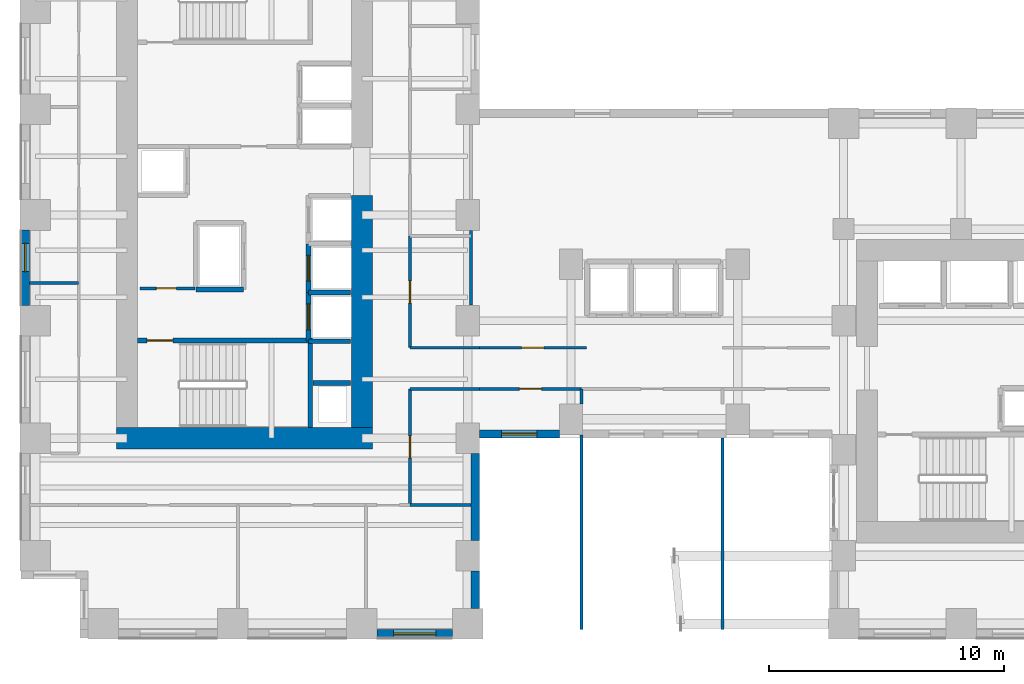
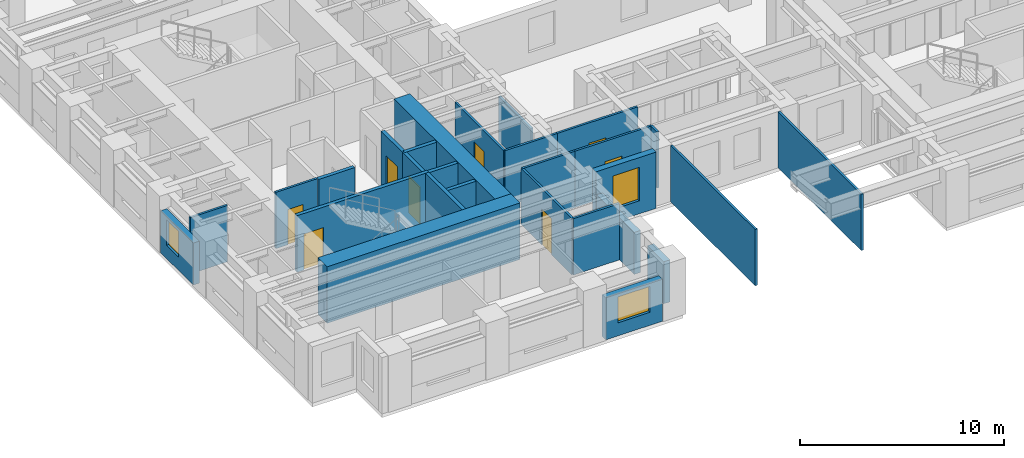
# One storey, part 7 of 14: 28 walls, 8 doors, 3 windows, 11 openings.
"""IFC4 building model written with IfcOpenShell, lengths in metres."""

from ifc_helpers import new_model, si_unit, direction, frame, frame_2d, origin, place, context, subcontext, project, spatial, rectangle, extrude, source, transform, mapped, material, layer, layer_set, type_object, element, fill, save


model = new_model("IFC4")

# Units and contexts
model_context = context("Model", 3, precision=1e-05, world=origin(), true_north=direction((0.0, 1.0)))
body_context = subcontext(model_context, "Body", "Model", "MODEL_VIEW")
ifc_project = project(units=[si_unit("LENGTHUNIT", "METRE"), si_unit("AREAUNIT", "SQUARE_METRE"), si_unit("VOLUMEUNIT", "CUBIC_METRE"), si_unit("PLANEANGLEUNIT", "RADIAN"), si_unit("MASSUNIT", "GRAM", prefix="KILO")], contexts=[model_context])

# Site, building, storey
site_placement = place(None, origin())
site = spatial("IfcSite", under=ifc_project, at=site_placement, CompositionType="ELEMENT")
building_placement = place(site_placement, origin())
building = spatial("IfcBuilding", under=site, at=building_placement, Name="Kharzan Plaza Tower", CompositionType="ELEMENT")
storey_placement = place(building_placement, frame((0.0, 0.0, 58.5)))
storey = spatial("IfcBuildingStorey", under=building, at=storey_placement, Name="L15", CompositionType="ELEMENT", Elevation=58.5)

# Wall, opening, window
ifc_material_1 = material(Name="Concrete C40/50", Category="concrete")
ifc_layer_1 = layer(ifc_material_1, 0.35009765625)
ifc_layer_set_1 = layer_set([ifc_layer_1], Name="Concrete C40/50")
wall_type_1 = type_object("IfcWallType", Name="WL-EXT-MAS-Z1", PredefinedType="SOLIDWALL", material=ifc_layer_set_1)
wall_1_placement = place(storey_placement, frame((0.175048828125, 17.35205078125, 0.0), z_axis=(0.0, 0.0, 1.0), x_axis=(0.0, -1.0, 0.0)))
wall_1 = element("IfcWall", 1, at=wall_1_placement, inside=storey, type_object=wall_type_1, Name="L15 Masonry-Frame Exterior Wall 17", PredefinedType="SOLIDWALL", context=body_context, shape_type="SweptSolid", body=[
    extrude(rectangle(XDim=3.2041015625, YDim=0.35009765625, at=frame_2d((1.60205078125, 0.0))), origin(), (0.0, 0.0, 1.0), 2.510009765625),
])
opening_1_placement = place(wall_1_placement, frame((0.56103515625, 0.0, 0.780029296875)))
opening_1 = element("IfcOpeningElement", 2, at=opening_1_placement, cuts=wall_1, Name="Opening W3", PredefinedType="OPENING", context=body_context, shape_type="SweptSolid", body=[
    extrude(rectangle(XDim=1.199951171875, YDim=1.550048828125, at=frame_2d((0.60009765625, 0.77490234375))), frame((0.0, 0.18505859375, 0.0), z_axis=(0.0, -1.0, 0.0), x_axis=(1.0, 0.0, 0.0)), (0.0, 0.0, 1.0), 0.3701171875),
])
ifc_material_2 = material(Name="Low-E Double Glazing", Category="glass")
window_type_1 = type_object("IfcWindowType", Name="WN-REC-1200x2100", PartitioningType="SINGLE_PANEL", PredefinedType="WINDOW", material=ifc_material_2)
shared_shape_1 = source(origin(), body_context, "Body", "SweptSolid", [
    extrude(rectangle(XDim=1.199951171875, YDim=1.550048828125, at=frame_2d((0.60009765625, 0.77490234375))), frame((0.0, 0.030029296875, 0.0), z_axis=(0.0, -1.0, 0.0), x_axis=(1.0, 0.0, 0.0)), (0.0, 0.0, 1.0), 0.06005859375),
])
window_1_placement = place(opening_1_placement, origin())
window_1 = element("IfcWindow", 3, at=window_1_placement, inside=storey, type_object=window_type_1, Name="L15 Recessed Solar-Control Window 17-1", OverallHeight=1.550048828125, OverallWidth=1.199951171875, PartitioningType="SINGLE_PANEL", PredefinedType="WINDOW", context=body_context, shape_type="MappedRepresentation", body=[
    mapped(shared_shape_1, transform((0.0, 0.0, 0.0), x_axis=(1.0, 0.0, 0.0), y_axis=(0.0, 1.0, 0.0), z_axis=(0.0, 0.0, 1.0))),
])
fill(opening_1, window_1)

wall_2_placement = place(storey_placement, frame((15.14794921875, 0.175048828125, 0.0), z_axis=(0.0, 0.0, 1.0), x_axis=(1.0, 0.0, 0.0)))
wall_2 = element("IfcWall", 4, at=wall_2_placement, inside=storey, type_object=wall_type_1, Name="L15 Masonry-Frame Exterior Wall 25", PredefinedType="SOLIDWALL", context=body_context, shape_type="SweptSolid", body=[
    extrude(rectangle(XDim=3.2041015625, YDim=0.35009765625, at=frame_2d((1.60205078125, 0.0))), origin(), (0.0, 0.0, 1.0), 2.510009765625),
])
opening_2_placement = place(wall_2_placement, frame((0.701904296875, 0.0, 0.780029296875)))
opening_2 = element("IfcOpeningElement", 5, at=opening_2_placement, cuts=wall_2, Name="Opening W1", PredefinedType="OPENING", context=body_context, shape_type="SweptSolid", body=[
    extrude(rectangle(XDim=1.800048828125, YDim=1.550048828125, at=frame_2d((0.89990234375, 0.77490234375))), frame((0.0, 0.18505859375, 0.0), z_axis=(0.0, -1.0, 0.0), x_axis=(1.0, 0.0, 0.0)), (0.0, 0.0, 1.0), 0.3701171875),
])
window_type_2 = type_object("IfcWindowType", Name="WN-REC-1800x2100", PartitioningType="SINGLE_PANEL", PredefinedType="WINDOW", material=ifc_material_2)
shared_shape_2 = source(origin(), body_context, "Body", "SweptSolid", [
    extrude(rectangle(XDim=1.800048828125, YDim=1.550048828125, at=frame_2d((0.89990234375, 0.77490234375))), frame((0.0, 0.030029296875, 0.0), z_axis=(0.0, -1.0, 0.0), x_axis=(1.0, 0.0, 0.0)), (0.0, 0.0, 1.0), 0.06005859375),
])
window_2_placement = place(opening_2_placement, origin())
window_2 = element("IfcWindow", 6, at=window_2_placement, inside=storey, type_object=window_type_2, Name="L15 Recessed Solar-Control Window 25-1", OverallHeight=1.550048828125, OverallWidth=1.800048828125, PartitioningType="SINGLE_PANEL", PredefinedType="WINDOW", context=body_context, shape_type="MappedRepresentation", body=[
    mapped(shared_shape_2, transform((0.0, 0.0, 0.0), x_axis=(1.0, 0.0, 0.0), y_axis=(0.0, 1.0, 0.0), z_axis=(0.0, 0.0, 1.0))),
])
fill(opening_2, window_2)

wall_3_placement = place(storey_placement, frame((19.498046875, 8.675048828125, 0.0), z_axis=(0.0, 0.0, 1.0), x_axis=(1.0, 0.0, 0.0)))
wall_3 = element("IfcWall", 7, at=wall_3_placement, inside=storey, type_object=wall_type_1, Name="L15 Masonry-Frame Exterior Wall 28", PredefinedType="SOLIDWALL", context=body_context, shape_type="SweptSolid", body=[
    extrude(rectangle(XDim=3.404052734375, YDim=0.35009765625, at=frame_2d((1.7021484375, 0.0))), origin(), (0.0, 0.0, 1.0), 3.364990234375),
])
opening_3_placement = place(wall_3_placement, frame((0.951904296875, 0.0, 0.780029296875)))
opening_3 = element("IfcOpeningElement", 8, at=opening_3_placement, cuts=wall_3, Name="Opening W5", PredefinedType="OPENING", context=body_context, shape_type="SweptSolid", body=[
    extrude(rectangle(XDim=1.5, YDim=2.0, at=frame_2d((0.75, 1.0))), frame((0.0, 0.18505859375, 0.0), z_axis=(0.0, -1.0, 0.0), x_axis=(1.0, 0.0, 0.0)), (0.0, 0.0, 1.0), 0.3701171875),
])
window_type_3 = type_object("IfcWindowType", Name="WN-SLT-1500x2000", PartitioningType="SINGLE_PANEL", PredefinedType="WINDOW", material=ifc_material_2)
shared_shape_3 = source(origin(), body_context, "Body", "SweptSolid", [
    extrude(rectangle(XDim=1.5, YDim=2.0, at=frame_2d((0.75, 1.0))), frame((0.0, 0.030029296875, 0.0), z_axis=(0.0, -1.0, 0.0), x_axis=(1.0, 0.0, 0.0)), (0.0, 0.0, 1.0), 0.06005859375),
])
window_3_placement = place(opening_3_placement, origin())
window_3 = element("IfcWindow", 9, at=window_3_placement, inside=storey, type_object=window_type_3, Name="L15 Recessed Solar-Control Window 28-1", OverallHeight=2.0, OverallWidth=1.5, PartitioningType="SINGLE_PANEL", PredefinedType="WINDOW", context=body_context, shape_type="MappedRepresentation", body=[
    mapped(shared_shape_3, transform((0.0, 0.0, 0.0), x_axis=(1.0, 0.0, 0.0), y_axis=(0.0, 1.0, 0.0), z_axis=(0.0, 0.0, 1.0))),
])
fill(opening_3, window_3)

# Wall, opening, door
ifc_material_3 = material(Name="Fire-Rated Gypsum Board Partition", Category="gypsum")
ifc_layer_2 = layer(ifc_material_3, 0.125)
ifc_layer_set_2 = layer_set([ifc_layer_2], Name="Fire-Rated Gypsum Board Partition")
wall_type_2 = type_object("IfcWallType", Name="WL-INT-PART-125", PredefinedType="PARTITIONING", material=ifc_layer_set_2)
wall_4_placement = place(storey_placement, frame((5.050048828125, 14.8798828125, 0.0), z_axis=(0.0, 0.0, 1.0), x_axis=(1.0, 0.0, 0.0)))
wall_4 = element("IfcWall", 10, at=wall_4_placement, inside=storey, type_object=wall_type_2, Name="L15 Interior Partition CA-K0", PredefinedType="PARTITIONING", context=body_context, shape_type="SweptSolid", body=[
    extrude(rectangle(XDim=2.349853515625, YDim=0.125, at=frame_2d((1.1748046875, 0.0))), origin(), (0.0, 0.0, 1.0), 3.364990234375),
])
opening_4_placement = place(wall_4_placement, frame((0.699951171875, 0.0, 0.0)))
opening_4 = element("IfcOpeningElement", 11, at=opening_4_placement, cuts=wall_4, Name="Opening RD1", PredefinedType="OPENING", context=body_context, shape_type="SweptSolid", body=[
    extrude(rectangle(XDim=0.85009765625, YDim=2.10009765625, at=frame_2d((0.425048828125, 1.050048828125))), frame((0.0, 0.072509765625, 0.0), z_axis=(0.0, -1.0, 0.0), x_axis=(1.0, 0.0, 0.0)), (0.0, 0.0, 1.0), 0.14501953125),
])
ifc_material_4 = material(Name="Powder-Coated Fire-Rated Steel", Category="steel")
door_type_1 = type_object("IfcDoorType", Name="DR-RISER-900", OperationType="NOTDEFINED", PredefinedType="DOOR", material=ifc_material_4)
shared_shape_4 = source(origin(), body_context, "Body", "SweptSolid", [
    extrude(rectangle(XDim=0.85009765625, YDim=2.10009765625, at=frame_2d((0.425048828125, 1.050048828125))), frame((0.0, 0.02490234375, 0.0), z_axis=(0.0, -1.0, 0.0), x_axis=(1.0, 0.0, 0.0)), (0.0, 0.0, 1.0), 0.050048828125),
])
door_1_placement = place(opening_4_placement, origin())
door_1 = element("IfcDoor", 12, at=door_1_placement, inside=storey, type_object=door_type_1, Name="L15 Cleaners Store Door", OperationType="SINGLE_SWING_LEFT", OverallHeight=2.10009765625, OverallWidth=0.85009765625, PredefinedType="DOOR", context=body_context, shape_type="MappedRepresentation", body=[
    mapped(shared_shape_4, transform((0.0, 0.0, 0.0), x_axis=(1.0, 0.0, 0.0), y_axis=(0.0, 1.0, 0.0), z_axis=(0.0, 0.0, 1.0))),
])
fill(opening_4, door_1)

wall_5_placement = place(storey_placement, frame((16.550048828125, 12.35009765625, 0.0), z_axis=(0.0, 0.0, 1.0), x_axis=(0.0, 1.0, 0.0)))
wall_5 = element("IfcWall", 13, at=wall_5_placement, inside=storey, type_object=wall_type_2, Name="L15 Interior Partition SH-AEWN1", PredefinedType="PARTITIONING", context=body_context, shape_type="SweptSolid", body=[
    extrude(rectangle(XDim=4.75, YDim=0.125, at=frame_2d((2.375, 0.0))), origin(), (0.0, 0.0, 1.0), 3.364990234375),
])
opening_5_placement = place(wall_5_placement, frame((1.89990234375, 0.0, 0.0)))
opening_5 = element("IfcOpeningElement", 14, at=opening_5_placement, cuts=wall_5, Name="Opening OD1", PredefinedType="OPENING", context=body_context, shape_type="SweptSolid", body=[
    extrude(rectangle(XDim=0.949951171875, YDim=2.14990234375, at=frame_2d((0.47509765625, 1.074951171875))), frame((0.0, 0.072509765625, 0.0), z_axis=(0.0, -1.0, 0.0), x_axis=(1.0, 0.0, 0.0)), (0.0, 0.0, 1.0), 0.14501953125),
])
ifc_material_5 = material(Name="Acoustic Solid-Core Stained Oak", Category="timber")
door_type_2 = type_object("IfcDoorType", Name="DR-OFF-SINGLE", OperationType="NOTDEFINED", PredefinedType="DOOR", material=ifc_material_5)
shared_shape_5 = source(origin(), body_context, "Body", "SweptSolid", [
    extrude(rectangle(XDim=0.949951171875, YDim=2.14990234375, at=frame_2d((0.47509765625, 1.074951171875))), frame((0.0, 0.02490234375, 0.0), z_axis=(0.0, -1.0, 0.0), x_axis=(1.0, 0.0, 0.0)), (0.0, 0.0, 1.0), 0.050048828125),
])
door_2_placement = place(opening_5_placement, origin())
door_2 = element("IfcDoor", 15, at=door_2_placement, inside=storey, type_object=door_type_2, Name="L15 Slot Collaboration Door", OperationType="SINGLE_SWING_RIGHT", OverallHeight=2.14990234375, OverallWidth=0.949951171875, PredefinedType="DOOR", context=body_context, shape_type="MappedRepresentation", body=[
    mapped(shared_shape_5, transform((0.0, 0.0, 0.0), x_axis=(1.0, 0.0, 0.0), y_axis=(0.0, 1.0, 0.0), z_axis=(0.0, 0.0, 1.0))),
])
fill(opening_5, door_2)

wall_6_placement = place(storey_placement, frame((16.550048828125, 5.64990234375, 0.0), z_axis=(0.0, 0.0, 1.0), x_axis=(0.0, 1.0, 0.0)))
wall_6 = element("IfcWall", 16, at=wall_6_placement, inside=storey, type_object=wall_type_2, Name="L15 Interior Partition SH-AEWS", PredefinedType="PARTITIONING", context=body_context, shape_type="SweptSolid", body=[
    extrude(rectangle(XDim=4.9501953125, YDim=0.125, at=frame_2d((2.47509765625, 0.0))), origin(), (0.0, 0.0, 1.0), 3.364990234375),
])
opening_6_placement = place(wall_6_placement, frame((2.0, 0.0, 0.0)))
opening_6 = element("IfcOpeningElement", 17, at=opening_6_placement, cuts=wall_6, Name="Opening OD1", PredefinedType="OPENING", context=body_context, shape_type="SweptSolid", body=[
    extrude(rectangle(XDim=0.949951171875, YDim=2.14990234375, at=frame_2d((0.47509765625, 1.074951171875))), frame((0.0, 0.072509765625, 0.0), z_axis=(0.0, -1.0, 0.0), x_axis=(1.0, 0.0, 0.0)), (0.0, 0.0, 1.0), 0.14501953125),
])
door_3_placement = place(opening_6_placement, origin())
door_3 = element("IfcDoor", 18, at=door_3_placement, inside=storey, type_object=door_type_2, Name="L15 Slot South Office Door", OperationType="SINGLE_SWING_LEFT", OverallHeight=2.14990234375, OverallWidth=0.949951171875, PredefinedType="DOOR", context=body_context, shape_type="MappedRepresentation", body=[
    mapped(shared_shape_5, transform((0.0, 0.0, 0.0), x_axis=(1.0, 0.0, 0.0), y_axis=(0.0, 1.0, 0.0), z_axis=(0.0, 0.0, 1.0))),
])
fill(opening_6, door_3)

wall_7_placement = place(storey_placement, frame((19.5, 12.35009765625, 0.0), z_axis=(0.0, 0.0, 1.0), x_axis=(1.0, 0.0, 0.0)))
wall_7 = element("IfcWall", 19, at=wall_7_placement, inside=storey, type_object=wall_type_2, Name="L15 Interior Partition SH-SPNW1", PredefinedType="PARTITIONING", context=body_context, shape_type="SweptSolid", body=[
    extrude(rectangle(XDim=4.550048828125, YDim=0.125, at=frame_2d((2.27490234375, 0.0))), origin(), (0.0, 0.0, 1.0), 3.364990234375),
])
opening_7_placement = place(wall_7_placement, frame((1.800048828125, 0.0, 0.0)))
opening_7 = element("IfcOpeningElement", 20, at=opening_7_placement, cuts=wall_7, Name="Opening OD1", PredefinedType="OPENING", context=body_context, shape_type="SweptSolid", body=[
    extrude(rectangle(XDim=0.949951171875, YDim=2.14990234375, at=frame_2d((0.47509765625, 1.074951171875))), frame((0.0, 0.072509765625, 0.0), z_axis=(0.0, -1.0, 0.0), x_axis=(1.0, 0.0, 0.0)), (0.0, 0.0, 1.0), 0.14501953125),
])
door_4_placement = place(opening_7_placement, origin())
door_4 = element("IfcDoor", 21, at=door_4_placement, inside=storey, type_object=door_type_2, Name="L15 North-West Spine Door", OperationType="SINGLE_SWING_LEFT", OverallHeight=2.14990234375, OverallWidth=0.949951171875, PredefinedType="DOOR", context=body_context, shape_type="MappedRepresentation", body=[
    mapped(shared_shape_5, transform((0.0, 0.0, 0.0), x_axis=(1.0, 0.0, 0.0), y_axis=(0.0, 1.0, 0.0), z_axis=(0.0, 0.0, 1.0))),
])
fill(opening_7, door_4)

wall_8_placement = place(storey_placement, frame((19.5, 10.60009765625, 0.0), z_axis=(0.0, 0.0, 1.0), x_axis=(1.0, 0.0, 0.0)))
wall_8 = element("IfcWall", 22, at=wall_8_placement, inside=storey, type_object=wall_type_2, Name="L15 Interior Partition SH-SPS1", PredefinedType="PARTITIONING", context=body_context, shape_type="SweptSolid", body=[
    extrude(rectangle(XDim=4.35009765625, YDim=0.125, at=frame_2d((2.175048828125, 0.0))), origin(), (0.0, 0.0, 1.0), 3.364990234375),
])
opening_8_placement = place(wall_8_placement, frame((1.699951171875, 0.0, 0.0)))
opening_8 = element("IfcOpeningElement", 23, at=opening_8_placement, cuts=wall_8, Name="Opening OD1", PredefinedType="OPENING", context=body_context, shape_type="SweptSolid", body=[
    extrude(rectangle(XDim=0.949951171875, YDim=2.14990234375, at=frame_2d((0.47509765625, 1.074951171875))), frame((0.0, 0.072509765625, 0.0), z_axis=(0.0, -1.0, 0.0), x_axis=(1.0, 0.0, 0.0)), (0.0, 0.0, 1.0), 0.14501953125),
])
door_5_placement = place(opening_8_placement, origin())
door_5 = element("IfcDoor", 24, at=door_5_placement, inside=storey, type_object=door_type_2, Name="L15 Spine Studio 1 Door", OperationType="SINGLE_SWING_RIGHT", OverallHeight=2.14990234375, OverallWidth=0.949951171875, PredefinedType="DOOR", context=body_context, shape_type="MappedRepresentation", body=[
    mapped(shared_shape_5, transform((0.0, 0.0, 0.0), x_axis=(1.0, 0.0, 0.0), y_axis=(0.0, 1.0, 0.0), z_axis=(0.0, 0.0, 1.0))),
])
fill(opening_8, door_5)

ifc_layer_3 = layer(ifc_material_1, 0.199951171875)
ifc_layer_set_3 = layer_set([ifc_layer_3], Name="Concrete C40/50")
wall_type_3 = type_object("IfcWallType", Name="WL-INT-SHAFT-200", PredefinedType="PARTITIONING", material=ifc_layer_set_3)
wall_9_placement = place(storey_placement, frame((12.22998046875, 12.6298828125, 0.0), z_axis=(0.0, 0.0, 1.0), x_axis=(0.0, 1.0, 0.0)))
wall_9 = element("IfcWall", 25, at=wall_9_placement, inside=storey, type_object=wall_type_3, Name="L15 Interior Partition SHF-PL-H1-W", PredefinedType="PARTITIONING", context=body_context, shape_type="SweptSolid", body=[
    extrude(rectangle(XDim=2.070068359375, YDim=0.199951171875, at=frame_2d((1.03515625, 0.0))), origin(), (0.0, 0.0, 1.0), 3.364990234375),
])
opening_9_placement = place(wall_9_placement, frame((0.485107421875, 0.0, 0.0)))
opening_9 = element("IfcOpeningElement", 26, at=opening_9_placement, cuts=wall_9, Name="Opening LD", PredefinedType="OPENING", context=body_context, shape_type="SweptSolid", body=[
    extrude(rectangle(XDim=1.10009765625, YDim=2.199951171875, at=frame_2d((0.550048828125, 1.10009765625))), frame((0.0, 0.10986328125, 0.0), z_axis=(0.0, -1.0, 0.0), x_axis=(1.0, 0.0, 0.0)), (0.0, 0.0, 1.0), 0.219970703125),
])
ifc_material_6 = material(Name="Brushed Stainless Steel", Category="steel")
door_type_3 = type_object("IfcDoorType", Name="DR-LIFT-SLIDE", OperationType="SLIDING_TO_LEFT", PredefinedType="DOOR", material=ifc_material_6)
shared_shape_6 = source(origin(), body_context, "Body", "SweptSolid", [
    extrude(rectangle(XDim=1.10009765625, YDim=2.199951171875, at=frame_2d((0.550048828125, 1.10009765625))), frame((0.0, 0.02490234375, 0.0), z_axis=(0.0, -1.0, 0.0), x_axis=(1.0, 0.0, 0.0)), (0.0, 0.0, 1.0), 0.050048828125),
])
door_6_placement = place(opening_9_placement, origin())
door_6 = element("IfcDoor", 27, at=door_6_placement, inside=storey, type_object=door_type_3, Name="L15 High-Rise Passenger Lift PL-H1 Sliding Landing Door", OperationType="SLIDING_TO_LEFT", OverallHeight=2.199951171875, OverallWidth=1.10009765625, PredefinedType="DOOR", context=body_context, shape_type="MappedRepresentation", body=[
    mapped(shared_shape_6, transform((0.0, 0.0, 0.0), x_axis=(1.0, 0.0, 0.0), y_axis=(0.0, 1.0, 0.0), z_axis=(0.0, 0.0, 1.0))),
])
fill(opening_9, door_6)

wall_10_placement = place(storey_placement, frame((12.22998046875, 14.699951171875, 0.0), z_axis=(0.0, 0.0, 1.0), x_axis=(0.0, 1.0, 0.0)))
wall_10 = element("IfcWall", 28, at=wall_10_placement, inside=storey, type_object=wall_type_3, Name="L15 Interior Partition SHF-PL-H2-W", PredefinedType="PARTITIONING", context=body_context, shape_type="SweptSolid", body=[
    extrude(rectangle(XDim=2.070068359375, YDim=0.199951171875, at=frame_2d((1.03515625, 0.0))), origin(), (0.0, 0.0, 1.0), 3.364990234375),
])
opening_10_placement = place(wall_10_placement, frame((0.485107421875, 0.0, 0.0)))
opening_10 = element("IfcOpeningElement", 29, at=opening_10_placement, cuts=wall_10, Name="Opening LD", PredefinedType="OPENING", context=body_context, shape_type="SweptSolid", body=[
    extrude(rectangle(XDim=1.10009765625, YDim=2.199951171875, at=frame_2d((0.550048828125, 1.10009765625))), frame((0.0, 0.10986328125, 0.0), z_axis=(0.0, -1.0, 0.0), x_axis=(1.0, 0.0, 0.0)), (0.0, 0.0, 1.0), 0.219970703125),
])
door_7_placement = place(opening_10_placement, origin())
door_7 = element("IfcDoor", 30, at=door_7_placement, inside=storey, type_object=door_type_3, Name="L15 High-Rise Passenger Lift PL-H2 Sliding Landing Door", OperationType="SLIDING_TO_LEFT", OverallHeight=2.199951171875, OverallWidth=1.10009765625, PredefinedType="DOOR", context=body_context, shape_type="MappedRepresentation", body=[
    mapped(shared_shape_6, transform((0.0, 0.0, 0.0), x_axis=(1.0, 0.0, 0.0), y_axis=(0.0, 1.0, 0.0), z_axis=(0.0, 0.0, 1.0))),
])
fill(opening_10, door_7)

ifc_material_7 = material(Name="Concrete C50/60", Category="concrete")
ifc_layer_4 = layer(ifc_material_7, 0.199951171875)
ifc_layer_set_4 = layer_set([ifc_layer_4], Name="Concrete C50/60")
wall_type_4 = type_object("IfcWallType", Name="WL-SHAFT-RC200", PredefinedType="SHEAR", material=ifc_layer_set_4)
wall_11_placement = place(storey_placement, frame((4.951904296875, 12.655029296875, 0.0), z_axis=(0.0, 0.0, 1.0), x_axis=(1.0, 0.0, 0.0)))
wall_11 = element("IfcWall", 31, at=wall_11_placement, inside=storey, type_object=wall_type_4, Name="L15 Stair ST-1 North RC Shaft Wall", PredefinedType="SHEAR", context=body_context, shape_type="SweptSolid", body=[
    extrude(rectangle(XDim=7.453125, YDim=0.199951171875, at=frame_2d((3.7265625, 0.0))), origin(), (0.0, 0.0, 1.0), 3.3798828125),
])
opening_11_placement = place(wall_11_placement, frame((0.39990234375, 0.0, 0.0)))
opening_11 = element("IfcOpeningElement", 32, at=opening_11_placement, cuts=wall_11, Name="Opening SD1", PredefinedType="OPENING", context=body_context, shape_type="SweptSolid", body=[
    extrude(rectangle(XDim=1.10009765625, YDim=2.14990234375, at=frame_2d((0.550048828125, 1.074951171875))), frame((0.0, 0.10986328125, 0.0), z_axis=(0.0, -1.0, 0.0), x_axis=(1.0, 0.0, 0.0)), (0.0, 0.0, 1.0), 0.219970703125),
])
ifc_material_8 = material(Name="Fire-Rated Hollow Galvanized Steel", Category="steel")
door_type_4 = type_object("IfcDoorType", Name="DR-STAIR-FD120", OperationType="NOTDEFINED", PredefinedType="DOOR", material=ifc_material_8)
shared_shape_7 = source(origin(), body_context, "Body", "SweptSolid", [
    extrude(rectangle(XDim=1.10009765625, YDim=2.14990234375, at=frame_2d((0.550048828125, 1.074951171875))), frame((0.0, 0.02490234375, 0.0), z_axis=(0.0, -1.0, 0.0), x_axis=(1.0, 0.0, 0.0)), (0.0, 0.0, 1.0), 0.050048828125),
])
door_8_placement = place(opening_11_placement, origin())
door_8 = element("IfcDoor", 33, at=door_8_placement, inside=storey, type_object=door_type_4, Name="L15 Stair ST-1 Fire Exit Door", OperationType="SINGLE_SWING_LEFT", OverallHeight=2.14990234375, OverallWidth=1.10009765625, PredefinedType="DOOR", context=body_context, shape_type="MappedRepresentation", body=[
    mapped(shared_shape_7, transform((0.0, 0.0, 0.0), x_axis=(1.0, 0.0, 0.0), y_axis=(0.0, 1.0, 0.0), z_axis=(0.0, 0.0, 1.0))),
])
fill(opening_11, door_8)

# Walls
ifc_material_9 = material(Name="Concrete C60/75", Category="concrete")
ifc_layer_5 = layer(ifc_material_9, 0.89990234375)
ifc_layer_set_5 = layer_set([ifc_layer_5], Name="Concrete C60/75")
wall_type_5 = type_object("IfcWallType", Name="WL-CORE-900", PredefinedType="SHEAR", material=ifc_layer_set_5)
shared_shape_8 = source(origin(), body_context, "Body", "SweptSolid", [
    extrude(rectangle(XDim=9.8701171875, YDim=0.89990234375, at=frame_2d((4.93505859375, 0.0))), origin(), (0.0, 0.0, 1.0), 3.3798828125),
])
wall_12_placement = place(storey_placement, frame((14.5, 8.949951171875, 0.0), z_axis=(0.0, 0.0, 1.0), x_axis=(0.0, 1.0, 0.0)))
element("IfcWall", 34, at=wall_12_placement, inside=storey, type_object=wall_type_5, Name="L15 CORE-A east shear pier 1", PredefinedType="SHEAR", context=body_context, shape_type="MappedRepresentation", body=[
    mapped(shared_shape_8, transform((0.0, 0.0, 0.0), x_axis=(1.0, 0.0, 0.0), y_axis=(0.0, 1.0, 0.0), z_axis=(0.0, 0.0, 1.0))),
])
shared_shape_9 = source(origin(), body_context, "Body", "SweptSolid", [
    extrude(rectangle(XDim=10.89990234375, YDim=0.89990234375, at=frame_2d((5.449951171875, 0.0))), origin(), (0.0, 0.0, 1.0), 3.3798828125),
])
wall_13_placement = place(storey_placement, frame((4.050048828125, 8.5, 0.0), z_axis=(0.0, 0.0, 1.0), x_axis=(1.0, 0.0, 0.0)))
element("IfcWall", 35, at=wall_13_placement, inside=storey, type_object=wall_type_5, Name="L15 CORE-A south RC shear wall", PredefinedType="SHEAR", context=body_context, shape_type="MappedRepresentation", body=[
    mapped(shared_shape_9, transform((0.0, 0.0, 0.0), x_axis=(1.0, 0.0, 0.0), y_axis=(0.0, 1.0, 0.0), z_axis=(0.0, 0.0, 1.0))),
])
shared_shape_10 = source(origin(), body_context, "Body", "SweptSolid", [
    extrude(rectangle(XDim=1.60400390625, YDim=0.35009765625, at=frame_2d((0.802001953125, 0.0))), origin(), (0.0, 0.0, 1.0), 2.510009765625),
])
wall_14_placement = place(storey_placement, frame((19.324951171875, 1.248046875, 0.0), z_axis=(0.0, 0.0, 1.0), x_axis=(0.0, 1.0, 0.0)))
element("IfcWall", 36, at=wall_14_placement, inside=storey, type_object=wall_type_1, Name="L15 Masonry-Frame Exterior Wall 26", PredefinedType="SOLIDWALL", context=body_context, shape_type="MappedRepresentation", body=[
    mapped(shared_shape_10, transform((0.0, 0.0, 0.0), x_axis=(1.0, 0.0, 0.0), y_axis=(0.0, 1.0, 0.0), z_axis=(0.0, 0.0, 1.0))),
])
shared_shape_11 = source(origin(), body_context, "Body", "SweptSolid", [
    extrude(rectangle(XDim=3.7041015625, YDim=0.35009765625, at=frame_2d((1.85205078125, 0.0))), origin(), (0.0, 0.0, 1.0), 2.510009765625),
])
wall_15_placement = place(storey_placement, frame((19.324951171875, 4.14794921875, 0.0), z_axis=(0.0, 0.0, 1.0), x_axis=(0.0, 1.0, 0.0)))
element("IfcWall", 37, at=wall_15_placement, inside=storey, type_object=wall_type_1, Name="L15 Masonry-Frame Exterior Wall 27", PredefinedType="SOLIDWALL", context=body_context, shape_type="MappedRepresentation", body=[
    mapped(shared_shape_11, transform((0.0, 0.0, 0.0), x_axis=(1.0, 0.0, 0.0), y_axis=(0.0, 1.0, 0.0), z_axis=(0.0, 0.0, 1.0))),
])
shared_shape_12 = source(origin(), body_context, "Body", "SweptSolid", [
    extrude(rectangle(XDim=2.597900390625, YDim=0.125, at=frame_2d((1.298828125, 0.0))), origin(), (0.0, 0.0, 1.0), 3.364990234375),
])
wall_16_placement = place(storey_placement, frame((16.550048828125, 5.64990234375, 0.0), z_axis=(0.0, 0.0, 1.0), x_axis=(1.0, 0.0, 0.0)))
element("IfcWall", 38, at=wall_16_placement, inside=storey, type_object=wall_type_2, Name="L15 Interior Partition SH-SSE-3", PredefinedType="PARTITIONING", context=body_context, shape_type="MappedRepresentation", body=[
    mapped(shared_shape_12, transform((0.0, 0.0, 0.0), x_axis=(1.0, 0.0, 0.0), y_axis=(0.0, 1.0, 0.0), z_axis=(0.0, 0.0, 1.0))),
])
shared_shape_13 = source(origin(), body_context, "Body", "SweptSolid", [
    extrude(rectangle(XDim=3.18017578125, YDim=0.125, at=frame_2d((1.590087890625, 0.0))), origin(), (0.0, 0.0, 1.0), 2.669921875),
])
wall_17_placement = place(storey_placement, frame((19.14990234375, 14.159912109375, 0.0), z_axis=(0.0, 0.0, 1.0), x_axis=(0.0, 1.0, 0.0)))
element("IfcWall", 39, at=wall_17_placement, inside=storey, type_object=wall_type_2, Name="L15 Interior Partition SH-AEN-DIV-S1", PredefinedType="PARTITIONING", context=body_context, shape_type="MappedRepresentation", body=[
    mapped(shared_shape_13, transform((0.0, 0.0, 0.0), x_axis=(1.0, 0.0, 0.0), y_axis=(0.0, 1.0, 0.0), z_axis=(0.0, 0.0, 1.0))),
])
shared_shape_14 = source(origin(), body_context, "Body", "SweptSolid", [
    extrude(rectangle(XDim=2.949951171875, YDim=0.125, at=frame_2d((1.47509765625, 0.0))), origin(), (0.0, 0.0, 1.0), 3.364990234375),
])
for number, where, z_axis, x_axis, name in (
    (40, (16.550048828125, 12.35009765625, 0.0), (0.0, 0.0, 1.0), (1.0, 0.0, 0.0), "L15 Interior Partition SH-SPNW0"),
    (41, (16.550048828125, 10.60009765625, 0.0), (0.0, 0.0, 1.0), (1.0, 0.0, 0.0), "L15 Interior Partition SH-SPS0"),
):
    element("IfcWall", number, at=place(storey_placement, frame(where, z_axis=z_axis, x_axis=x_axis)), inside=storey, type_object=wall_type_2, Name=name, PredefinedType="PARTITIONING", context=body_context, shape_type="MappedRepresentation", body=[
        mapped(shared_shape_14, transform((0.0, 0.0, 0.0), x_axis=(1.0, 0.0, 0.0), y_axis=(0.0, 1.0, 0.0), z_axis=(0.0, 0.0, 1.0))),
    ])
shared_shape_15 = source(origin(), body_context, "Body", "SweptSolid", [
    extrude(rectangle(XDim=1.60009765625, YDim=0.199951171875, at=frame_2d((0.800048828125, 0.0))), origin(), (0.0, 0.0, 1.0), 3.364990234375),
])
wall_18_placement = place(storey_placement, frame((12.419921875, 10.85009765625, 0.0), z_axis=(0.0, 0.0, 1.0), x_axis=(1.0, 0.0, 0.0)))
element("IfcWall", 42, at=wall_18_placement, inside=storey, type_object=wall_type_3, Name="L15 Interior Partition CA-RSRA-N", PredefinedType="PARTITIONING", context=body_context, shape_type="MappedRepresentation", body=[
    mapped(shared_shape_15, transform((0.0, 0.0, 0.0), x_axis=(1.0, 0.0, 0.0), y_axis=(0.0, 1.0, 0.0), z_axis=(0.0, 0.0, 1.0))),
])
shared_shape_16 = source(origin(), body_context, "Body", "SweptSolid", [
    extrude(rectangle(XDim=1.7900390625, YDim=0.199951171875, at=frame_2d((0.89501953125, 0.0))), origin(), (0.0, 0.0, 1.0), 3.364990234375),
])
for number, where, z_axis, x_axis, name in (
    (43, (12.22998046875, 14.699951171875, 0.0), (0.0, 0.0, 1.0), (1.0, 0.0, 0.0), "L15 Interior Partition SHF-PL-H1-N"),
    (44, (12.22998046875, 12.6298828125, 0.0), (0.0, 0.0, 1.0), (1.0, 0.0, 0.0), "L15 Interior Partition SHF-PL-H1-S"),
):
    element("IfcWall", number, at=place(storey_placement, frame(where, z_axis=z_axis, x_axis=x_axis)), inside=storey, type_object=wall_type_3, Name=name, PredefinedType="PARTITIONING", context=body_context, shape_type="MappedRepresentation", body=[
        mapped(shared_shape_16, transform((0.0, 0.0, 0.0), x_axis=(1.0, 0.0, 0.0), y_axis=(0.0, 1.0, 0.0), z_axis=(0.0, 0.0, 1.0))),
    ])
shared_shape_17 = source(origin(), body_context, "Body", "SweptSolid", [
    extrude(rectangle(XDim=2.0400390625, YDim=0.199951171875, at=frame_2d((1.02001953125, 0.0))), origin(), (0.0, 0.0, 1.0), 3.364990234375),
])
wall_19_placement = place(storey_placement, frame((7.429931640625, 14.830078125, 0.0), z_axis=(0.0, 0.0, 1.0), x_axis=(1.0, 0.0, 0.0)))
element("IfcWall", 45, at=wall_19_placement, inside=storey, type_object=wall_type_3, Name="L15 Interior Partition SHF-SVL-1-S", PredefinedType="PARTITIONING", context=body_context, shape_type="MappedRepresentation", body=[
    mapped(shared_shape_17, transform((0.0, 0.0, 0.0), x_axis=(1.0, 0.0, 0.0), y_axis=(0.0, 1.0, 0.0), z_axis=(0.0, 0.0, 1.0))),
])
shared_shape_18 = source(origin(), body_context, "Body", "SweptSolid", [
    extrude(rectangle(XDim=3.60302734375, YDim=0.199951171875, at=frame_2d((1.801513671875, 0.0))), origin(), (0.0, 0.0, 1.0), 3.3798828125),
])
wall_20_placement = place(storey_placement, frame((12.304931640625, 8.951904296875, 0.0), z_axis=(0.0, 0.0, 1.0), x_axis=(0.0, 1.0, 0.0)))
element("IfcWall", 46, at=wall_20_placement, inside=storey, type_object=wall_type_4, Name="L15 Stair ST-1 East RC Shaft Wall", PredefinedType="SHEAR", context=body_context, shape_type="MappedRepresentation", body=[
    mapped(shared_shape_18, transform((0.0, 0.0, 0.0), x_axis=(1.0, 0.0, 0.0), y_axis=(0.0, 1.0, 0.0), z_axis=(0.0, 0.0, 1.0))),
])
shared_shape_19 = source(origin(), body_context, "Body", "SweptSolid", [
    extrude(rectangle(XDim=2.097900390625, YDim=0.125, at=frame_2d((1.048828125, 0.0))), origin(), (0.0, 0.0, 1.0), 3.364990234375),
])
wall_21_placement = place(storey_placement, frame((0.35205078125, 15.10009765625, 0.0), z_axis=(0.0, 0.0, 1.0), x_axis=(1.0, 0.0, 0.0)))
element("IfcWall", 47, at=wall_21_placement, inside=storey, type_object=wall_type_2, Name="L15 Interior Partition SH-WH-1", PredefinedType="PARTITIONING", context=body_context, shape_type="MappedRepresentation", body=[
    mapped(shared_shape_19, transform((0.0, 0.0, 0.0), x_axis=(1.0, 0.0, 0.0), y_axis=(0.0, 1.0, 0.0), z_axis=(0.0, 0.0, 1.0))),
])
shared_shape_20 = source(origin(), body_context, "Body", "SweptSolid", [
    extrude(rectangle(XDim=8.14794921875, YDim=0.125, at=frame_2d((4.073974609375, 0.0))), origin(), (0.0, 0.0, 1.0), 3.364990234375),
])
wall_22_placement = place(storey_placement, frame((29.85009765625, 0.35009765625, 0.0), z_axis=(0.0, 0.0, 1.0), x_axis=(0.0, 1.0, 0.0)))
element("IfcWall", 48, at=wall_22_placement, inside=storey, type_object=wall_type_2, Name="L15 Interior Partition SH-SPSV2-S1", PredefinedType="PARTITIONING", context=body_context, shape_type="MappedRepresentation", body=[
    mapped(shared_shape_20, transform((0.0, 0.0, 0.0), x_axis=(1.0, 0.0, 0.0), y_axis=(0.0, 1.0, 0.0), z_axis=(0.0, 0.0, 1.0))),
])
shared_shape_21 = source(origin(), body_context, "Body", "SweptSolid", [
    extrude(rectangle(XDim=8.289794921875, YDim=0.125, at=frame_2d((4.14501953125, 0.0))), origin(), (0.0, 0.0, 1.0), 3.364990234375),
])
wall_23_placement = place(storey_placement, frame((23.85009765625, 0.35009765625, 0.0), z_axis=(0.0, 0.0, 1.0), x_axis=(0.0, 1.0, 0.0)))
element("IfcWall", 49, at=wall_23_placement, inside=storey, type_object=wall_type_2, Name="L15 Interior Partition SH-SPSV1-S1", PredefinedType="PARTITIONING", context=body_context, shape_type="MappedRepresentation", body=[
    mapped(shared_shape_21, transform((0.0, 0.0, 0.0), x_axis=(1.0, 0.0, 0.0), y_axis=(0.0, 1.0, 0.0), z_axis=(0.0, 0.0, 1.0))),
])
shared_shape_22 = source(origin(), body_context, "Body", "SweptSolid", [
    extrude(rectangle(XDim=0.64013671875, YDim=0.125, at=frame_2d((0.320068359375, 0.0))), origin(), (0.0, 0.0, 1.0), 3.364990234375),
])
wall_24_placement = place(storey_placement, frame((23.85009765625, 9.9599609375, 0.0), z_axis=(0.0, 0.0, 1.0), x_axis=(0.0, 1.0, 0.0)))
element("IfcWall", 50, at=wall_24_placement, inside=storey, type_object=wall_type_2, Name="L15 Interior Partition SH-SPSV1-S2", PredefinedType="PARTITIONING", context=body_context, shape_type="MappedRepresentation", body=[
    mapped(shared_shape_22, transform((0.0, 0.0, 0.0), x_axis=(1.0, 0.0, 0.0), y_axis=(0.0, 1.0, 0.0), z_axis=(0.0, 0.0, 1.0))),
])

save(model, "model.ifc")
